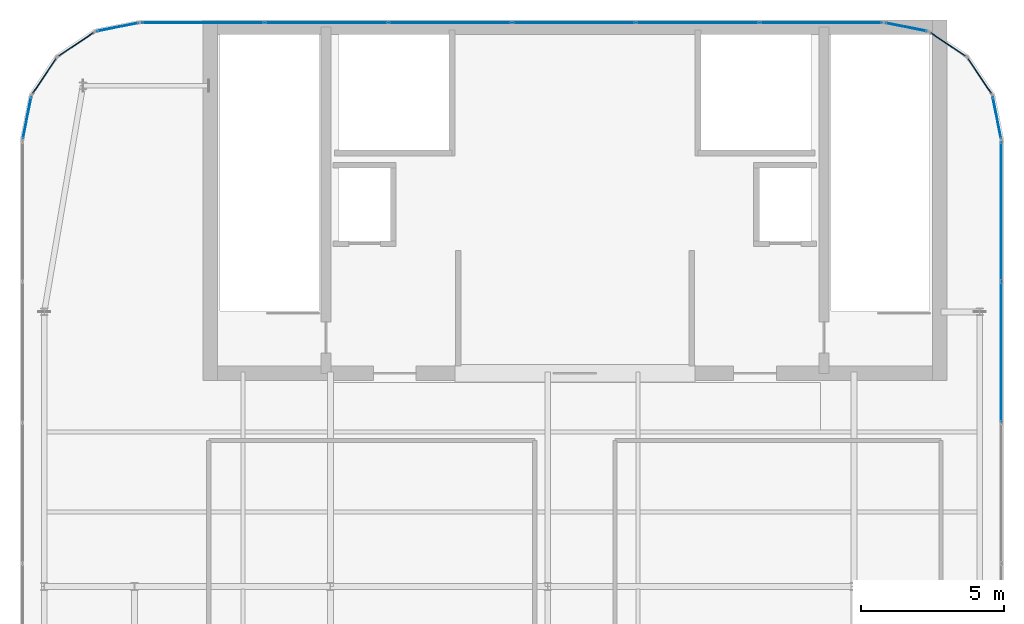
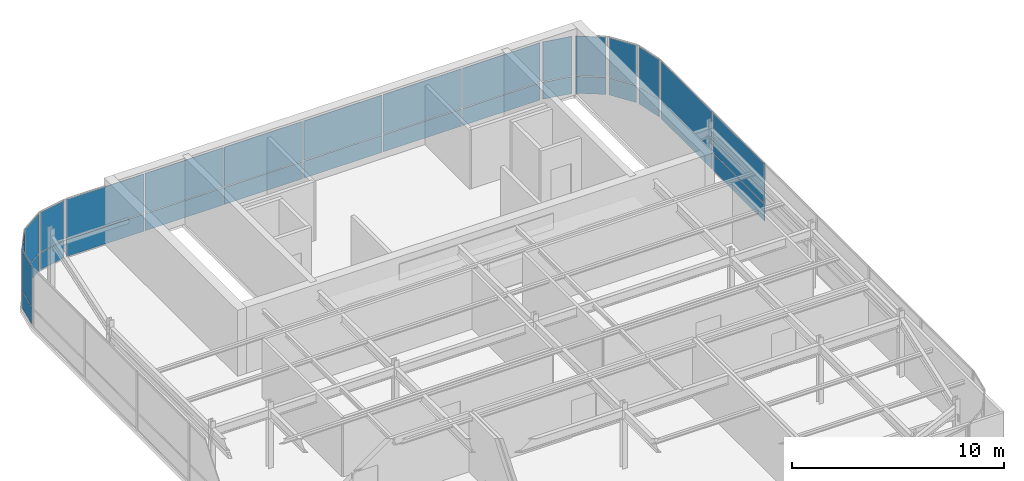
# One storey, part 30 of 35: 32 plates, 10 elements without a shape of their own.
"""IFC4 building model written with IfcOpenShell, lengths in metres."""

from ifc_helpers import new_model, si_unit, direction, frame, origin, origin_2d, place, context, subcontext, project, spatial, rectangle, extrude, source, transform, mapped, material, layer, layer_set, type_object, type_shapes, element, aggregate, save


model = new_model("IFC4")

# Units and contexts
model_context = context("Model", 3, precision=1e-05, world=origin(), true_north=direction((0.0, 1.0)))
body_context = subcontext(model_context, "Body", "Model", "MODEL_VIEW")
ifc_project = project(units=[si_unit("LENGTHUNIT", "METRE"), si_unit("AREAUNIT", "SQUARE_METRE"), si_unit("VOLUMEUNIT", "CUBIC_METRE"), si_unit("PLANEANGLEUNIT", "RADIAN"), si_unit("MASSUNIT", "GRAM", prefix="KILO")], contexts=[model_context])

# Site, building, storey
site_placement = place(None, origin())
site = spatial("IfcSite", under=ifc_project, at=site_placement, CompositionType="ELEMENT")
building_placement = place(site_placement, origin())
building = spatial("IfcBuilding", under=site, at=building_placement, Name="Tolvann Quenvar Hotel", CompositionType="ELEMENT")
storey_placement = place(building_placement, frame((0.0, 0.0, 309.949951171875)))
storey = spatial("IfcBuildingStorey", under=building, at=storey_placement, Name="L82", CompositionType="ELEMENT", Elevation=309.949951171875)

# Curtain wall, plate
ifc_material_1 = material(Name="Thermally broken anodised architectural aluminium 6063-T6 and laminated low-E glass", Category="aluminium")
ifc_layer_1 = layer(ifc_material_1, 0.179931640625)
ifc_layer_set_1 = layer_set([ifc_layer_1], Name="Thermally broken anodised architectural aluminium 6063-T6 and laminated low-E glass")
curtain_wall_type = type_object("IfcCurtainWallType", Name="CW_SYS_LANT_06", PredefinedType="USERDEFINED", material=ifc_layer_set_1)
curtain_wall_1_placement = place(storey_placement, origin())
curtain_wall_1 = element("IfcCurtainWall", 1, at=curtain_wall_1_placement, inside=storey, type_object=curtain_wall_type, Name="Curtain Wall CW-LANT-06 (CWR-L82-E11)", ObjectType="UNITISED CURTAIN WALL", PredefinedType="USERDEFINED")
ifc_material_2 = material(Name="Diffused translucent ceramic-frit laminated lantern glass", Category="glass")
ifc_layer_2 = layer(ifc_material_2, 0.031982421875)
ifc_layer_set_2 = layer_set([ifc_layer_2], Name="Diffused translucent ceramic-frit laminated lantern glass")
plate_type = type_object("IfcPlateType", Name="CW_PAN_LANT_32", PredefinedType="CURTAIN_PANEL", material=ifc_layer_set_2)
shared_shape_1 = source(origin(), body_context, "Body", "SweptSolid", [
    extrude(rectangle(XDim=1.439208984375, YDim=0.031982421875, at=origin_2d()), origin(), (0.0, 0.0, 1.0), 0.97509765625),
])
plate_1_placement = place(storey_placement, frame((37.150146484375, 42.238525390625, 0.050048828125), z_axis=(0.0, 0.0, 1.0), x_axis=(-0.555655769644, 0.831412452193, 0.0)))
plate_1 = element("IfcPlate", 2, at=plate_1_placement, type_object=plate_type, Name="CW-LANT-06 panel 1.1", PredefinedType="CURTAIN_PANEL", context=body_context, shape_type="MappedRepresentation", body=[
    mapped(shared_shape_1, transform((0.0, 0.0, 0.0), x_axis=(1.0, 0.0, 0.0), y_axis=(0.0, 1.0, 0.0), z_axis=(0.0, 0.0, 1.0), scale=1.0)),
])

curtain_wall_2_placement = place(storey_placement, origin())
curtain_wall_2 = element("IfcCurtainWall", 3, at=curtain_wall_2_placement, inside=storey, type_object=curtain_wall_type, Name="Curtain Wall CW-LANT-06 (CWR-L82-E12)", ObjectType="UNITISED CURTAIN WALL", PredefinedType="USERDEFINED")
plate_2_placement = place(storey_placement, frame((36.03857421875, 43.350341796875, 0.050048828125), z_axis=(0.0, 0.0, 1.0), x_axis=(-0.831412452193, 0.555655769644, 0.0)))
plate_2 = element("IfcPlate", 4, at=plate_2_placement, type_object=plate_type, Name="CW-LANT-06 panel 1.1", PredefinedType="CURTAIN_PANEL", context=body_context, shape_type="MappedRepresentation", body=[
    mapped(shared_shape_1, transform((0.0, 0.0, 0.0), x_axis=(1.0, 0.0, 0.0), y_axis=(0.0, 1.0, 0.0), z_axis=(0.0, 0.0, 1.0), scale=1.0)),
])

curtain_wall_3_placement = place(storey_placement, origin())
curtain_wall_3 = element("IfcCurtainWall", 5, at=curtain_wall_3_placement, inside=storey, type_object=curtain_wall_type, Name="Curtain Wall CW-LANT-06 (CWR-L82-E16)", ObjectType="UNITISED CURTAIN WALL", PredefinedType="USERDEFINED")
plate_3_placement = place(storey_placement, frame((5.5615234375, 43.350341796875, 0.050048828125), z_axis=(0.0, 0.0, 1.0), x_axis=(-0.831412452193, -0.555655769644, 0.0)))
plate_3 = element("IfcPlate", 6, at=plate_3_placement, type_object=plate_type, Name="CW-LANT-06 panel 1.1", PredefinedType="CURTAIN_PANEL", context=body_context, shape_type="MappedRepresentation", body=[
    mapped(shared_shape_1, transform((0.0, 0.0, 0.0), x_axis=(1.0, 0.0, 0.0), y_axis=(0.0, 1.0, 0.0), z_axis=(0.0, 0.0, 1.0), scale=1.0)),
])

curtain_wall_4_placement = place(storey_placement, origin())
curtain_wall_4 = element("IfcCurtainWall", 7, at=curtain_wall_4_placement, inside=storey, type_object=curtain_wall_type, Name="Curtain Wall CW-LANT-06 (CWR-L82-E17)", ObjectType="UNITISED CURTAIN WALL", PredefinedType="USERDEFINED")
plate_4_placement = place(storey_placement, frame((4.44970703125, 42.238525390625, 0.050048828125), z_axis=(0.0, 0.0, 1.0), x_axis=(-0.555655769644, -0.831412452193, 0.0)))
plate_4 = element("IfcPlate", 8, at=plate_4_placement, type_object=plate_type, Name="CW-LANT-06 panel 1.1", PredefinedType="CURTAIN_PANEL", context=body_context, shape_type="MappedRepresentation", body=[
    mapped(shared_shape_1, transform((0.0, 0.0, 0.0), x_axis=(1.0, 0.0, 0.0), y_axis=(0.0, 1.0, 0.0), z_axis=(0.0, 0.0, 1.0), scale=1.0)),
])

curtain_wall_5_placement = place(storey_placement, origin())
curtain_wall_5 = element("IfcCurtainWall", 9, at=curtain_wall_5_placement, inside=storey, type_object=curtain_wall_type, Name="Curtain Wall CW-LANT-06 (CWR-L82-E10)", ObjectType="UNITISED CURTAIN WALL", PredefinedType="USERDEFINED")
shared_shape_2 = source(origin(), body_context, "Body", "SweptSolid", [
    extrude(rectangle(XDim=1.456787109375, YDim=0.031982421875, at=origin_2d()), origin(), (0.0, 0.0, 1.0), 0.97509765625),
])
plate_5_placement = place(storey_placement, frame((37.753662109375, 40.777587890625, 0.050048828125), z_axis=(0.0, 0.0, 1.0), x_axis=(-0.195061569369, 0.980790999222, 0.0)))
plate_5 = element("IfcPlate", 10, at=plate_5_placement, type_object=plate_type, Name="CW-LANT-06 panel 1.1", PredefinedType="CURTAIN_PANEL", context=body_context, shape_type="MappedRepresentation", body=[
    mapped(shared_shape_2, transform((0.0, 0.0, 0.0), x_axis=(1.0, 0.0, 0.0), y_axis=(0.0, 1.0, 0.0), z_axis=(0.0, 0.0, 1.0), scale=1.0)),
])

curtain_wall_6_placement = place(storey_placement, origin())
curtain_wall_6 = element("IfcCurtainWall", 11, at=curtain_wall_6_placement, inside=storey, type_object=curtain_wall_type, Name="Curtain Wall CW-LANT-06 (CWR-L82-E13)", ObjectType="UNITISED CURTAIN WALL", PredefinedType="USERDEFINED")
plate_6_placement = place(storey_placement, frame((34.577392578125, 43.95361328125, 0.050048828125), z_axis=(0.0, 0.0, 1.0), x_axis=(-0.980790999222, 0.195061569369, 0.0)))
plate_6 = element("IfcPlate", 12, at=plate_6_placement, type_object=plate_type, Name="CW-LANT-06 panel 1.1", PredefinedType="CURTAIN_PANEL", context=body_context, shape_type="MappedRepresentation", body=[
    mapped(shared_shape_2, transform((0.0, 0.0, 0.0), x_axis=(1.0, 0.0, 0.0), y_axis=(0.0, 1.0, 0.0), z_axis=(0.0, 0.0, 1.0), scale=1.0)),
])

curtain_wall_7_placement = place(storey_placement, origin())
curtain_wall_7 = element("IfcCurtainWall", 13, at=curtain_wall_7_placement, inside=storey, type_object=curtain_wall_type, Name="Curtain Wall CW-LANT-06 (CWR-L82-E15)", ObjectType="UNITISED CURTAIN WALL", PredefinedType="USERDEFINED")
plate_7_placement = place(storey_placement, frame((7.0224609375, 43.95361328125, 0.050048828125), z_axis=(0.0, 0.0, 1.0), x_axis=(-0.980790999222, -0.195061569369, 0.0)))
plate_7 = element("IfcPlate", 14, at=plate_7_placement, type_object=plate_type, Name="CW-LANT-06 panel 1.1", PredefinedType="CURTAIN_PANEL", context=body_context, shape_type="MappedRepresentation", body=[
    mapped(shared_shape_2, transform((0.0, 0.0, 0.0), x_axis=(1.0, 0.0, 0.0), y_axis=(0.0, 1.0, 0.0), z_axis=(0.0, 0.0, 1.0), scale=1.0)),
])

curtain_wall_8_placement = place(storey_placement, origin())
curtain_wall_8 = element("IfcCurtainWall", 15, at=curtain_wall_8_placement, inside=storey, type_object=curtain_wall_type, Name="Curtain Wall CW-LANT-06 (CWR-L82-E18)", ObjectType="UNITISED CURTAIN WALL", PredefinedType="USERDEFINED")
plate_8_placement = place(storey_placement, frame((3.846435546875, 40.777587890625, 0.050048828125), z_axis=(0.0, 0.0, 1.0), x_axis=(-0.195061569369, -0.980790999222, 0.0)))
plate_8 = element("IfcPlate", 16, at=plate_8_placement, type_object=plate_type, Name="CW-LANT-06 panel 1.1", PredefinedType="CURTAIN_PANEL", context=body_context, shape_type="MappedRepresentation", body=[
    mapped(shared_shape_2, transform((0.0, 0.0, 0.0), x_axis=(1.0, 0.0, 0.0), y_axis=(0.0, 1.0, 0.0), z_axis=(0.0, 0.0, 1.0), scale=1.0)),
])

# Curtain wall, plates
curtain_wall_9_placement = place(storey_placement, origin())
curtain_wall_9 = element("IfcCurtainWall", 17, at=curtain_wall_9_placement, inside=storey, type_object=curtain_wall_type, Name="Curtain Wall CW-LANT-06 (CWR-L82-E14)", ObjectType="UNITISED CURTAIN WALL", PredefinedType="USERDEFINED")
shared_shape_3 = source(origin(), body_context, "Body", "SweptSolid", [
    extrude(rectangle(XDim=4.22998046875, YDim=0.031982421875, at=origin_2d()), origin(), (0.0, 0.0, 1.0), 0.97509765625),
])
plate_9_placement = place(storey_placement, frame((31.602783203125, 44.110107421875, 0.050048828125), z_axis=(0.0, 0.0, 1.0), x_axis=(-1.0, 0.0, 0.0)))
plate_9 = element("IfcPlate", 18, at=plate_9_placement, type_object=plate_type, Name="CW-LANT-06 panel 1.1", PredefinedType="CURTAIN_PANEL", context=body_context, shape_type="MappedRepresentation", body=[
    mapped(shared_shape_3, transform((0.0, 0.0, 0.0), x_axis=(1.0, 0.0, 0.0), y_axis=(0.0, 1.0, 0.0), z_axis=(0.0, 0.0, 1.0), scale=1.0)),
])
plate_10_placement = place(storey_placement, frame((9.997314453125, 44.110107421875, 0.050048828125), z_axis=(0.0, 0.0, 1.0), x_axis=(-1.0, 0.0, 0.0)))
plate_10 = element("IfcPlate", 19, at=plate_10_placement, type_object=plate_type, Name="CW-LANT-06 panel 6.1", PredefinedType="CURTAIN_PANEL", context=body_context, shape_type="MappedRepresentation", body=[
    mapped(shared_shape_3, transform((0.0, 0.0, 0.0), x_axis=(1.0, 0.0, 0.0), y_axis=(0.0, 1.0, 0.0), z_axis=(0.0, 0.0, 1.0), scale=1.0)),
])
shared_shape_4 = source(origin(), body_context, "Body", "SweptSolid", [
    extrude(rectangle(XDim=4.2626953125, YDim=0.031982421875, at=origin_2d()), origin(), (0.0, 0.0, 1.0), 0.97509765625),
])
plate_11_placement = place(storey_placement, frame((27.29150390625, 44.110107421875, 0.050048828125), z_axis=(0.0, 0.0, 1.0), x_axis=(-1.0, 0.0, 0.0)))
plate_11 = element("IfcPlate", 20, at=plate_11_placement, type_object=plate_type, Name="CW-LANT-06 panel 2.1", PredefinedType="CURTAIN_PANEL", context=body_context, shape_type="MappedRepresentation", body=[
    mapped(shared_shape_4, transform((0.0, 0.0, 0.0), x_axis=(1.0, 0.0, 0.0), y_axis=(0.0, 1.0, 0.0), z_axis=(0.0, 0.0, 1.0), scale=1.0)),
])
plate_12_placement = place(storey_placement, frame((22.9638671875, 44.110107421875, 0.050048828125), z_axis=(0.0, 0.0, 1.0), x_axis=(-1.0, 0.0, 0.0)))
plate_12 = element("IfcPlate", 21, at=plate_12_placement, type_object=plate_type, Name="CW-LANT-06 panel 3.1", PredefinedType="CURTAIN_PANEL", context=body_context, shape_type="MappedRepresentation", body=[
    mapped(shared_shape_4, transform((0.0, 0.0, 0.0), x_axis=(1.0, 0.0, 0.0), y_axis=(0.0, 1.0, 0.0), z_axis=(0.0, 0.0, 1.0), scale=1.0)),
])
plate_13_placement = place(storey_placement, frame((18.63623046875, 44.110107421875, 0.050048828125), z_axis=(0.0, 0.0, 1.0), x_axis=(-1.0, 0.0, 0.0)))
plate_13 = element("IfcPlate", 22, at=plate_13_placement, type_object=plate_type, Name="CW-LANT-06 panel 4.1", PredefinedType="CURTAIN_PANEL", context=body_context, shape_type="MappedRepresentation", body=[
    mapped(shared_shape_4, transform((0.0, 0.0, 0.0), x_axis=(1.0, 0.0, 0.0), y_axis=(0.0, 1.0, 0.0), z_axis=(0.0, 0.0, 1.0), scale=1.0)),
])
plate_14_placement = place(storey_placement, frame((14.30859375, 44.110107421875, 0.050048828125), z_axis=(0.0, 0.0, 1.0), x_axis=(-1.0, 0.0, 0.0)))
plate_14 = element("IfcPlate", 23, at=plate_14_placement, type_object=plate_type, Name="CW-LANT-06 panel 5.1", PredefinedType="CURTAIN_PANEL", context=body_context, shape_type="MappedRepresentation", body=[
    mapped(shared_shape_4, transform((0.0, 0.0, 0.0), x_axis=(1.0, 0.0, 0.0), y_axis=(0.0, 1.0, 0.0), z_axis=(0.0, 0.0, 1.0), scale=1.0)),
])

curtain_wall_10_placement = place(storey_placement, origin())
curtain_wall_10 = element("IfcCurtainWall", 24, at=curtain_wall_10_placement, inside=storey, type_object=curtain_wall_type, Name="Curtain Wall CW-LANT-06 (CWR-L82-E09)", ObjectType="UNITISED CURTAIN WALL", PredefinedType="USERDEFINED")
shared_shape_5 = source(origin(), body_context, "Body", "SweptSolid", [
    extrude(rectangle(XDim=4.830078125, YDim=0.031982421875, at=origin_2d()), origin(), (0.0, 0.0, 1.0), 0.97509765625),
])
plate_15_placement = place(storey_placement, frame((37.909912109375, 37.502685546875, 0.050048828125), z_axis=(0.0, 0.0, 1.0), x_axis=(0.0, 1.0, 0.0)))
plate_15 = element("IfcPlate", 25, at=plate_15_placement, type_object=plate_type, Name="CW-LANT-06 panel 6.1", PredefinedType="CURTAIN_PANEL", context=body_context, shape_type="MappedRepresentation", body=[
    mapped(shared_shape_5, transform((0.0, 0.0, 0.0), x_axis=(1.0, 0.0, 0.0), y_axis=(0.0, 1.0, 0.0), z_axis=(0.0, 0.0, 1.0), scale=1.0)),
])
shared_shape_6 = source(origin(), body_context, "Body", "SweptSolid", [
    extrude(rectangle(XDim=4.862548828125, YDim=0.031982421875, at=origin_2d()), origin(), (0.0, 0.0, 1.0), 0.97509765625),
])
plate_16_placement = place(storey_placement, frame((37.909912109375, 32.59130859375, 0.050048828125), z_axis=(0.0, 0.0, 1.0), x_axis=(0.0, 1.0, 0.0)))
plate_16 = element("IfcPlate", 26, at=plate_16_placement, type_object=plate_type, Name="CW-LANT-06 panel 5.1", PredefinedType="CURTAIN_PANEL", context=body_context, shape_type="MappedRepresentation", body=[
    mapped(shared_shape_6, transform((0.0, 0.0, 0.0), x_axis=(1.0, 0.0, 0.0), y_axis=(0.0, 1.0, 0.0), z_axis=(0.0, 0.0, 1.0), scale=1.0)),
])

# Plate
shared_shape_7 = source(origin(), body_context, "Body", "SweptSolid", [
    extrude(rectangle(XDim=1.439208984375, YDim=0.031982421875, at=origin_2d()), origin(), (0.0, 0.0, 1.0), 2.27490234375),
])
plate_17_placement = place(storey_placement, frame((37.150146484375, 42.238525390625, 1.0751953125), z_axis=(0.0, 0.0, 1.0), x_axis=(-0.555655769644, 0.831412452193, 0.0)))
plate_17 = element("IfcPlate", 27, at=plate_17_placement, type_object=plate_type, Name="CW-LANT-06 panel 1.2", PredefinedType="CURTAIN_PANEL", context=body_context, shape_type="MappedRepresentation", body=[
    mapped(shared_shape_7, transform((0.0, 0.0, 0.0), x_axis=(1.0, 0.0, 0.0), y_axis=(0.0, 1.0, 0.0), z_axis=(0.0, 0.0, 1.0), scale=1.0)),
])

aggregate(curtain_wall_1, [plate_1, plate_17])

plate_18_placement = place(storey_placement, frame((36.03857421875, 43.350341796875, 1.0751953125), z_axis=(0.0, 0.0, 1.0), x_axis=(-0.831412452193, 0.555655769644, 0.0)))
plate_18 = element("IfcPlate", 28, at=plate_18_placement, type_object=plate_type, Name="CW-LANT-06 panel 1.2", PredefinedType="CURTAIN_PANEL", context=body_context, shape_type="MappedRepresentation", body=[
    mapped(shared_shape_7, transform((0.0, 0.0, 0.0), x_axis=(1.0, 0.0, 0.0), y_axis=(0.0, 1.0, 0.0), z_axis=(0.0, 0.0, 1.0), scale=1.0)),
])

aggregate(curtain_wall_2, [plate_2, plate_18])

plate_19_placement = place(storey_placement, frame((5.5615234375, 43.350341796875, 1.0751953125), z_axis=(0.0, 0.0, 1.0), x_axis=(-0.831412452193, -0.555655769644, 0.0)))
plate_19 = element("IfcPlate", 29, at=plate_19_placement, type_object=plate_type, Name="CW-LANT-06 panel 1.2", PredefinedType="CURTAIN_PANEL", context=body_context, shape_type="MappedRepresentation", body=[
    mapped(shared_shape_7, transform((0.0, 0.0, 0.0), x_axis=(1.0, 0.0, 0.0), y_axis=(0.0, 1.0, 0.0), z_axis=(0.0, 0.0, 1.0), scale=1.0)),
])

aggregate(curtain_wall_3, [plate_3, plate_19])

plate_20_placement = place(storey_placement, frame((4.44970703125, 42.238525390625, 1.0751953125), z_axis=(0.0, 0.0, 1.0), x_axis=(-0.555655769644, -0.831412452193, 0.0)))
plate_20 = element("IfcPlate", 30, at=plate_20_placement, type_object=plate_type, Name="CW-LANT-06 panel 1.2", PredefinedType="CURTAIN_PANEL", context=body_context, shape_type="MappedRepresentation", body=[
    mapped(shared_shape_7, transform((0.0, 0.0, 0.0), x_axis=(1.0, 0.0, 0.0), y_axis=(0.0, 1.0, 0.0), z_axis=(0.0, 0.0, 1.0), scale=1.0)),
])

aggregate(curtain_wall_4, [plate_4, plate_20])

shared_shape_8 = source(origin(), body_context, "Body", "SweptSolid", [
    extrude(rectangle(XDim=1.456787109375, YDim=0.031982421875, at=origin_2d()), origin(), (0.0, 0.0, 1.0), 2.27490234375),
])
plate_21_placement = place(storey_placement, frame((37.753662109375, 40.777587890625, 1.0751953125), z_axis=(0.0, 0.0, 1.0), x_axis=(-0.195061569369, 0.980790999222, 0.0)))
plate_21 = element("IfcPlate", 31, at=plate_21_placement, type_object=plate_type, Name="CW-LANT-06 panel 1.2", PredefinedType="CURTAIN_PANEL", context=body_context, shape_type="MappedRepresentation", body=[
    mapped(shared_shape_8, transform((0.0, 0.0, 0.0), x_axis=(1.0, 0.0, 0.0), y_axis=(0.0, 1.0, 0.0), z_axis=(0.0, 0.0, 1.0), scale=1.0)),
])

aggregate(curtain_wall_5, [plate_5, plate_21])

plate_22_placement = place(storey_placement, frame((34.577392578125, 43.95361328125, 1.0751953125), z_axis=(0.0, 0.0, 1.0), x_axis=(-0.980790999222, 0.195061569369, 0.0)))
plate_22 = element("IfcPlate", 32, at=plate_22_placement, type_object=plate_type, Name="CW-LANT-06 panel 1.2", PredefinedType="CURTAIN_PANEL", context=body_context, shape_type="MappedRepresentation", body=[
    mapped(shared_shape_8, transform((0.0, 0.0, 0.0), x_axis=(1.0, 0.0, 0.0), y_axis=(0.0, 1.0, 0.0), z_axis=(0.0, 0.0, 1.0), scale=1.0)),
])

aggregate(curtain_wall_6, [plate_6, plate_22])

plate_23_placement = place(storey_placement, frame((7.0224609375, 43.95361328125, 1.0751953125), z_axis=(0.0, 0.0, 1.0), x_axis=(-0.980790999222, -0.195061569369, 0.0)))
plate_23 = element("IfcPlate", 33, at=plate_23_placement, type_object=plate_type, Name="CW-LANT-06 panel 1.2", PredefinedType="CURTAIN_PANEL", context=body_context, shape_type="MappedRepresentation", body=[
    mapped(shared_shape_8, transform((0.0, 0.0, 0.0), x_axis=(1.0, 0.0, 0.0), y_axis=(0.0, 1.0, 0.0), z_axis=(0.0, 0.0, 1.0), scale=1.0)),
])

aggregate(curtain_wall_7, [plate_7, plate_23])

plate_24_placement = place(storey_placement, frame((3.846435546875, 40.777587890625, 1.0751953125), z_axis=(0.0, 0.0, 1.0), x_axis=(-0.195061569369, -0.980790999222, 0.0)))
plate_24 = element("IfcPlate", 34, at=plate_24_placement, type_object=plate_type, Name="CW-LANT-06 panel 1.2", PredefinedType="CURTAIN_PANEL", context=body_context, shape_type="MappedRepresentation", body=[
    mapped(shared_shape_8, transform((0.0, 0.0, 0.0), x_axis=(1.0, 0.0, 0.0), y_axis=(0.0, 1.0, 0.0), z_axis=(0.0, 0.0, 1.0), scale=1.0)),
])

aggregate(curtain_wall_8, [plate_8, plate_24])

shared_shape_9 = source(origin(), body_context, "Body", "SweptSolid", [
    extrude(rectangle(XDim=4.22998046875, YDim=0.031982421875, at=origin_2d()), origin(), (0.0, 0.0, 1.0), 2.27490234375),
])
plate_25_placement = place(storey_placement, frame((31.602783203125, 44.110107421875, 1.0751953125), z_axis=(0.0, 0.0, 1.0), x_axis=(-1.0, 0.0, 0.0)))
plate_25 = element("IfcPlate", 35, at=plate_25_placement, type_object=plate_type, Name="CW-LANT-06 panel 1.2", PredefinedType="CURTAIN_PANEL", context=body_context, shape_type="MappedRepresentation", body=[
    mapped(shared_shape_9, transform((0.0, 0.0, 0.0), x_axis=(1.0, 0.0, 0.0), y_axis=(0.0, 1.0, 0.0), z_axis=(0.0, 0.0, 1.0), scale=1.0)),
])

plate_26_placement = place(storey_placement, frame((9.997314453125, 44.110107421875, 1.0751953125), z_axis=(0.0, 0.0, 1.0), x_axis=(-1.0, 0.0, 0.0)))
plate_26 = element("IfcPlate", 36, at=plate_26_placement, type_object=plate_type, Name="CW-LANT-06 panel 6.2", PredefinedType="CURTAIN_PANEL", context=body_context, shape_type="MappedRepresentation", body=[
    mapped(shared_shape_9, transform((0.0, 0.0, 0.0), x_axis=(1.0, 0.0, 0.0), y_axis=(0.0, 1.0, 0.0), z_axis=(0.0, 0.0, 1.0), scale=1.0)),
])

shared_shape_10 = source(origin(), body_context, "Body", "SweptSolid", [
    extrude(rectangle(XDim=4.2626953125, YDim=0.031982421875, at=origin_2d()), origin(), (0.0, 0.0, 1.0), 2.27490234375),
])
plate_27_placement = place(storey_placement, frame((27.29150390625, 44.110107421875, 1.0751953125), z_axis=(0.0, 0.0, 1.0), x_axis=(-1.0, 0.0, 0.0)))
plate_27 = element("IfcPlate", 37, at=plate_27_placement, type_object=plate_type, Name="CW-LANT-06 panel 2.2", PredefinedType="CURTAIN_PANEL", context=body_context, shape_type="MappedRepresentation", body=[
    mapped(shared_shape_10, transform((0.0, 0.0, 0.0), x_axis=(1.0, 0.0, 0.0), y_axis=(0.0, 1.0, 0.0), z_axis=(0.0, 0.0, 1.0), scale=1.0)),
])

plate_28_placement = place(storey_placement, frame((22.9638671875, 44.110107421875, 1.0751953125), z_axis=(0.0, 0.0, 1.0), x_axis=(-1.0, 0.0, 0.0)))
plate_28 = element("IfcPlate", 38, at=plate_28_placement, type_object=plate_type, Name="CW-LANT-06 panel 3.2", PredefinedType="CURTAIN_PANEL", context=body_context, shape_type="MappedRepresentation", body=[
    mapped(shared_shape_10, transform((0.0, 0.0, 0.0), x_axis=(1.0, 0.0, 0.0), y_axis=(0.0, 1.0, 0.0), z_axis=(0.0, 0.0, 1.0), scale=1.0)),
])

plate_29_placement = place(storey_placement, frame((18.63623046875, 44.110107421875, 1.0751953125), z_axis=(0.0, 0.0, 1.0), x_axis=(-1.0, 0.0, 0.0)))
plate_29 = element("IfcPlate", 39, at=plate_29_placement, type_object=plate_type, Name="CW-LANT-06 panel 4.2", PredefinedType="CURTAIN_PANEL", context=body_context, shape_type="MappedRepresentation", body=[
    mapped(shared_shape_10, transform((0.0, 0.0, 0.0), x_axis=(1.0, 0.0, 0.0), y_axis=(0.0, 1.0, 0.0), z_axis=(0.0, 0.0, 1.0), scale=1.0)),
])

plate_30_placement = place(storey_placement, frame((14.30859375, 44.110107421875, 1.0751953125), z_axis=(0.0, 0.0, 1.0), x_axis=(-1.0, 0.0, 0.0)))
plate_30 = element("IfcPlate", 40, at=plate_30_placement, type_object=plate_type, Name="CW-LANT-06 panel 5.2", PredefinedType="CURTAIN_PANEL", context=body_context, shape_type="MappedRepresentation", body=[
    mapped(shared_shape_10, transform((0.0, 0.0, 0.0), x_axis=(1.0, 0.0, 0.0), y_axis=(0.0, 1.0, 0.0), z_axis=(0.0, 0.0, 1.0), scale=1.0)),
])

aggregate(curtain_wall_9, [plate_9, plate_25, plate_11, plate_27, plate_12, plate_28, plate_13, plate_29, plate_14, plate_30, plate_10, plate_26])

shared_shape_11 = source(origin(), body_context, "Body", "SweptSolid", [
    extrude(rectangle(XDim=4.830078125, YDim=0.031982421875, at=origin_2d()), origin(), (0.0, 0.0, 1.0), 2.27490234375),
])
plate_31_placement = place(storey_placement, frame((37.909912109375, 37.502685546875, 1.0751953125), z_axis=(0.0, 0.0, 1.0), x_axis=(0.0, 1.0, 0.0)))
plate_31 = element("IfcPlate", 41, at=plate_31_placement, type_object=plate_type, Name="CW-LANT-06 panel 6.2", PredefinedType="CURTAIN_PANEL", context=body_context, shape_type="MappedRepresentation", body=[
    mapped(shared_shape_11, transform((0.0, 0.0, 0.0), x_axis=(1.0, 0.0, 0.0), y_axis=(0.0, 1.0, 0.0), z_axis=(0.0, 0.0, 1.0), scale=1.0)),
])

shared_shape_12 = source(origin(), body_context, "Body", "SweptSolid", [
    extrude(rectangle(XDim=4.862548828125, YDim=0.031982421875, at=origin_2d()), origin(), (0.0, 0.0, 1.0), 2.27490234375),
])
type_shapes(plate_type, [shared_shape_1, shared_shape_2, shared_shape_3, shared_shape_4, shared_shape_5, shared_shape_6, shared_shape_7, shared_shape_8, shared_shape_9, shared_shape_10, shared_shape_11, shared_shape_12])
plate_32_placement = place(storey_placement, frame((37.909912109375, 32.59130859375, 1.0751953125), z_axis=(0.0, 0.0, 1.0), x_axis=(0.0, 1.0, 0.0)))
plate_32 = element("IfcPlate", 42, at=plate_32_placement, type_object=plate_type, Name="CW-LANT-06 panel 5.2", PredefinedType="CURTAIN_PANEL", context=body_context, shape_type="MappedRepresentation", body=[
    mapped(shared_shape_12, transform((0.0, 0.0, 0.0), x_axis=(1.0, 0.0, 0.0), y_axis=(0.0, 1.0, 0.0), z_axis=(0.0, 0.0, 1.0), scale=1.0)),
])

aggregate(curtain_wall_10, [plate_16, plate_32, plate_15, plate_31])

save(model, "model.ifc")
